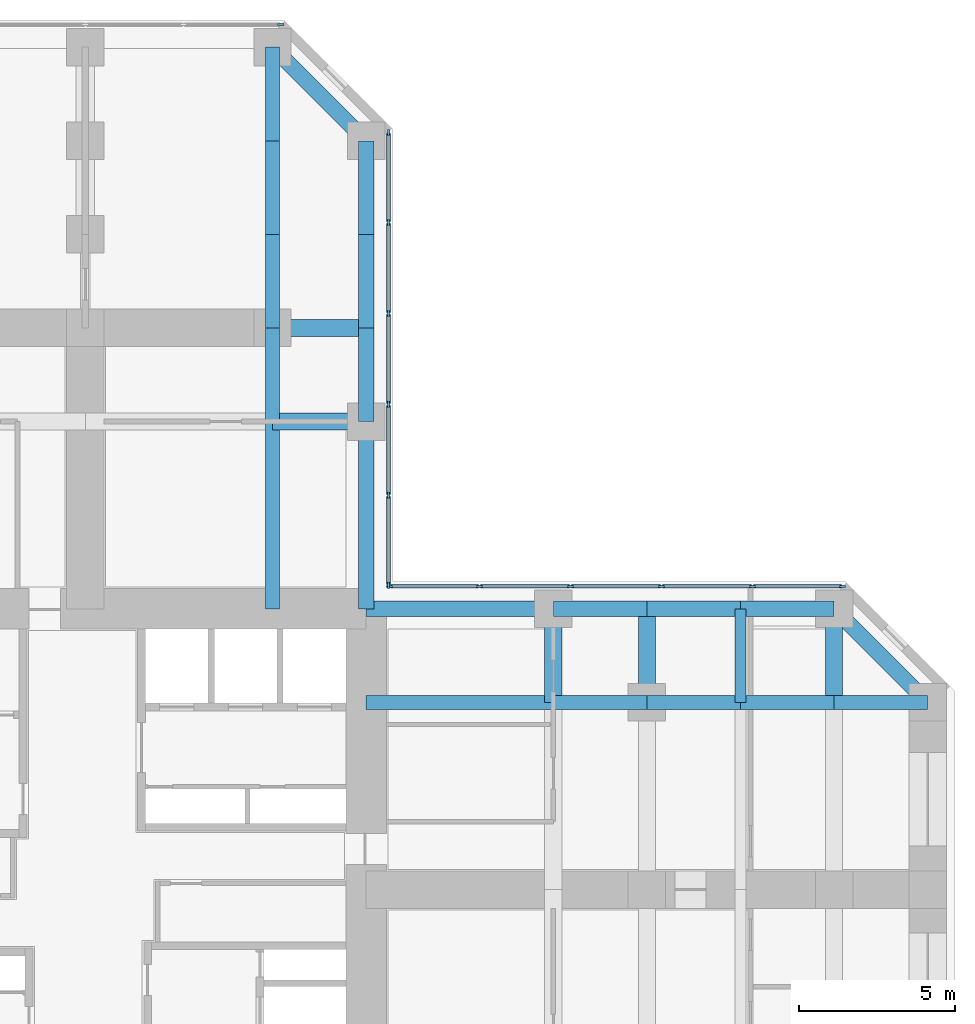
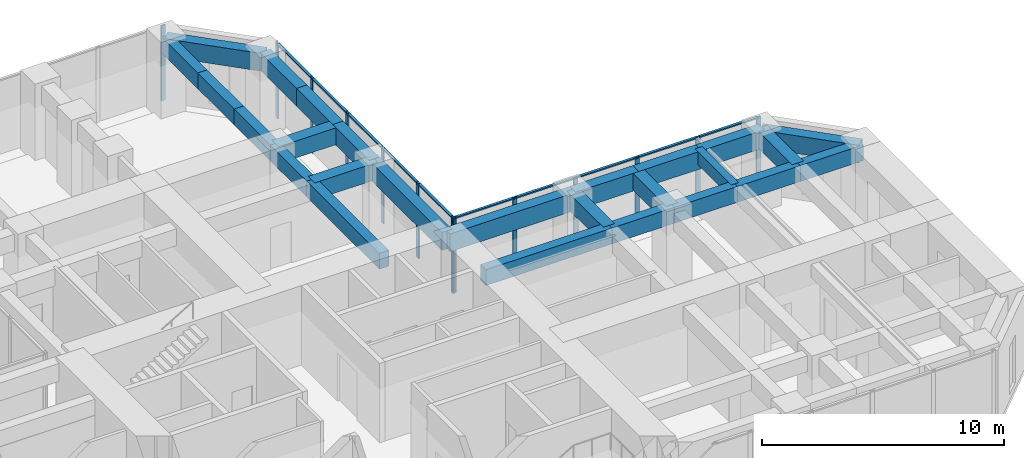
# One storey, part 6 of 13: 26 beams, 23 members, 3 elements without a shape of their own.
"""IFC4 building model written with IfcOpenShell, lengths in metres."""

from ifc_helpers import new_model, si_unit, direction, frame, origin, origin_2d, place, context, subcontext, project, spatial, rectangle, extrude, material, material_profile, profile_set, type_object, element, aggregate, save


model = new_model("IFC4")

# Units and contexts
model_context = context("Model", 3, precision=1e-05, world=origin(), true_north=direction((0.0, 1.0)))
body_context = subcontext(model_context, "Body", "Model", "MODEL_VIEW")
ifc_project = project(units=[si_unit("LENGTHUNIT", "METRE"), si_unit("AREAUNIT", "SQUARE_METRE"), si_unit("VOLUMEUNIT", "CUBIC_METRE"), si_unit("PLANEANGLEUNIT", "RADIAN"), si_unit("MASSUNIT", "GRAM", prefix="KILO")], contexts=[model_context])

# Site, building, storey
site_placement = place(None, origin())
site = spatial("IfcSite", under=ifc_project, at=site_placement, CompositionType="ELEMENT")
building_placement = place(site_placement, origin())
building = spatial("IfcBuilding", under=site, at=building_placement, Name="Torre Cruceta", CompositionType="ELEMENT")
storey_placement = place(building_placement, frame((0.0, 0.0, 55.5)))
storey = spatial("IfcBuildingStorey", under=building, at=storey_placement, Name="L13", CompositionType="ELEMENT", Elevation=55.5)

# Beams
ifc_material_1 = material(Name="Concrete G60 (fck 60 MPa)", Category="concrete")
ifc_material_profile_1 = material_profile(ifc_material_1, rectangle(XDim=0.449951171875, YDim=0.800048828125, at=origin_2d()), Name="RC 450X800")
ifc_profile_set_1 = profile_set([ifc_material_profile_1], Name="Concrete G60 (fck 60 MPa)")
beam_type_1 = type_object("IfcBeamType", Name="COLUMN LINE BEAM RC 450X800", PredefinedType="BEAM", material=ifc_profile_set_1)
beam_1_placement = place(storey_placement, frame((6.0, 9.0, 3.39990234375), z_axis=(0.0, 1.0, 0.0), x_axis=(-1.0, 0.0, 0.0)))
element("IfcBeam", 1, at=beam_1_placement, inside=storey, type_object=beam_type_1, Name="LB1 L13 N col- 1", PredefinedType="BEAM", context=body_context, shape_type="SweptSolid", body=[
    extrude(rectangle(XDim=0.449951171875, YDim=0.800048828125, at=origin_2d()), origin(), (0.0, 0.0, 1.0), 6.0),
])
for number, where, z_axis, x_axis, name in (
    (2, (6.0, 15.0, 3.39990234375), (0.0, 1.0, 0.0), (-1.0, 0.0, 0.0), "LB1 L13 N col- 2"),
    (3, (6.0, 18.0, 3.39990234375), (0.0, 1.0, 0.0), (-1.0, 0.0, 0.0), "LB1 L13 N col- 3"),
    (4, (6.0, 21.0, 3.39990234375), (0.0, 1.0, 0.0), (-1.0, 0.0, 0.0), "LB1 L13 N col- 4"),
    (5, (6.0, 24.0, 3.39990234375), (0.0, 1.0, 0.0), (-1.0, 0.0, 0.0), "LB1 L13 N col- 5"),
):
    element("IfcBeam", number, at=place(storey_placement, frame(where, z_axis=z_axis, x_axis=x_axis)), inside=storey, type_object=beam_type_1, Name=name, PredefinedType="BEAM", context=body_context, shape_type="SweptSolid", body=[
        extrude(rectangle(XDim=0.449951171875, YDim=0.800048828125, at=origin_2d()), origin(), (0.0, 0.0, 1.0), 3.0),
    ])
beam_2_placement = place(storey_placement, frame((9.0, 6.0, 3.39990234375), z_axis=(1.0, 0.0, 0.0), x_axis=(0.0, 1.0, 0.0)))
element("IfcBeam", 6, at=beam_2_placement, inside=storey, type_object=beam_type_1, Name="LB1 L13 E col+ 1", PredefinedType="BEAM", context=body_context, shape_type="SweptSolid", body=[
    extrude(rectangle(XDim=0.449951171875, YDim=0.800048828125, at=origin_2d()), origin(), (0.0, 0.0, 1.0), 6.0),
])
for number, where, z_axis, x_axis, name in (
    (7, (15.0, 6.0, 3.39990234375), (1.0, 0.0, 0.0), (0.0, 1.0, 0.0), "LB1 L13 E col+ 2"),
    (8, (18.0, 6.0, 3.39990234375), (1.0, 0.0, 0.0), (0.0, 1.0, 0.0), "LB1 L13 E col+ 3"),
    (9, (21.0, 6.0, 3.39990234375), (1.0, 0.0, 0.0), (0.0, 1.0, 0.0), "LB1 L13 E col+ 4"),
    (10, (24.0, 6.0, 3.39990234375), (1.0, 0.0, 0.0), (0.0, 1.0, 0.0), "LB1 L13 E col+ 5"),
):
    element("IfcBeam", number, at=place(storey_placement, frame(where, z_axis=z_axis, x_axis=x_axis)), inside=storey, type_object=beam_type_1, Name=name, PredefinedType="BEAM", context=body_context, shape_type="SweptSolid", body=[
        extrude(rectangle(XDim=0.449951171875, YDim=0.800048828125, at=origin_2d()), origin(), (0.0, 0.0, 1.0), 3.0),
    ])
ifc_material_2 = material(Name="Concrete G60 (fck 60 MPa)", Category="concrete")
ifc_material_profile_2 = material_profile(ifc_material_2, rectangle(XDim=0.550048828125, YDim=0.85009765625, at=origin_2d()), Name="RC 550X850")
ifc_profile_set_2 = profile_set([ifc_material_profile_2], Name="Concrete G60 (fck 60 MPa)")
beam_type_2 = type_object("IfcBeamType", Name="CROSS BEAM RC 550X850", PredefinedType="BEAM", material=ifc_profile_set_2)
for number, where, z_axis, x_axis, name in (
    (11, (9.0, 15.0, 3.375), (-1.0, 0.0, 0.0), (0.0, -1.0, 0.0), "GB4 L13 N cross15 1"),
    (12, (9.0, 18.0, 3.375), (-1.0, 0.0, 0.0), (0.0, -1.0, 0.0), "GB4 L13 N cross18 1"),
    (13, (15.0, 6.0, 3.375), (0.0, 1.0, 0.0), (-1.0, 0.0, 0.0), "GB4 L13 E cross15 4"),
    (14, (18.0, 6.0, 3.375), (0.0, 1.0, 0.0), (-1.0, 0.0, 0.0), "GB4 L13 E cross18 4"),
    (15, (24.0, 6.0, 3.375), (0.0, 1.0, 0.0), (-1.0, 0.0, 0.0), "GB4 L13 E cross24 4"),
):
    element("IfcBeam", number, at=place(storey_placement, frame(where, z_axis=z_axis, x_axis=x_axis)), inside=storey, type_object=beam_type_2, Name=name, PredefinedType="BEAM", context=body_context, shape_type="SweptSolid", body=[
        extrude(rectangle(XDim=0.550048828125, YDim=0.85009765625, at=origin_2d()), origin(), (0.0, 0.0, 1.0), 3.0),
    ])

# Curtain wall, members
ifc_material_3 = material(Name="Aluminium unitised curtain wall", Category="aluminium")
curtain_wall_type = type_object("IfcCurtainWallType", Name="CURTAIN WALL CW-A OFFICE LOW RISE", PredefinedType="USERDEFINED", material=ifc_material_3)
curtain_wall_1_placement = place(storey_placement, origin())
curtain_wall_1 = element("IfcCurtainWall", 16, at=curtain_wall_1_placement, inside=storey, type_object=curtain_wall_type, Name="CW-A L13 E side 04", ObjectType="UNITISED", PredefinedType="USERDEFINED")
ifc_material_4 = material(Name="Aluminium mullion", Category="aluminium")
ifc_material_profile_3 = material_profile(ifc_material_4, rectangle(XDim=0.06494140625, YDim=0.199951171875, at=origin_2d()), Name="AL 65X200")
ifc_profile_set_3 = profile_set([ifc_material_profile_3], Name="Aluminium mullion")
member_type_1 = type_object("IfcMemberType", Name="CW-A MULLION 65X200", PredefinedType="MULLION", material=ifc_profile_set_3)
member_1_placement = place(storey_placement, frame((24.265625, 9.719970703125, 0.0), z_axis=(0.0, 0.0, 1.0), x_axis=(0.0, -1.0, 0.0)))
member_1 = element("IfcMember", 17, at=member_1_placement, type_object=member_type_1, Name="CW-A mullion 1", PredefinedType="MULLION", context=body_context, shape_type="SweptSolid", body=[
    extrude(rectangle(XDim=0.06494140625, YDim=0.199951171875, at=origin_2d()), origin(), (0.0, 0.0, 1.0), 3.800048828125),
])
member_2_placement = place(storey_placement, frame((21.382568359375, 9.719970703125, 0.0), z_axis=(0.0, 0.0, 1.0), x_axis=(0.0, -1.0, 0.0)))
member_2 = element("IfcMember", 18, at=member_2_placement, type_object=member_type_1, Name="CW-A mullion 2", PredefinedType="MULLION", context=body_context, shape_type="SweptSolid", body=[
    extrude(rectangle(XDim=0.06494140625, YDim=0.199951171875, at=origin_2d()), origin(), (0.0, 0.0, 1.0), 3.800048828125),
])
member_3_placement = place(storey_placement, frame((18.467041015625, 9.719970703125, 0.0), z_axis=(0.0, 0.0, 1.0), x_axis=(0.0, -1.0, 0.0)))
member_3 = element("IfcMember", 19, at=member_3_placement, type_object=member_type_1, Name="CW-A mullion 3", PredefinedType="MULLION", context=body_context, shape_type="SweptSolid", body=[
    extrude(rectangle(XDim=0.06494140625, YDim=0.199951171875, at=origin_2d()), origin(), (0.0, 0.0, 1.0), 3.800048828125),
])
member_4_placement = place(storey_placement, frame((15.55126953125, 9.719970703125, 0.0), z_axis=(0.0, 0.0, 1.0), x_axis=(0.0, -1.0, 0.0)))
member_4 = element("IfcMember", 20, at=member_4_placement, type_object=member_type_1, Name="CW-A mullion 4", PredefinedType="MULLION", context=body_context, shape_type="SweptSolid", body=[
    extrude(rectangle(XDim=0.06494140625, YDim=0.199951171875, at=origin_2d()), origin(), (0.0, 0.0, 1.0), 3.800048828125),
])
member_5_placement = place(storey_placement, frame((12.6357421875, 9.719970703125, 0.0), z_axis=(0.0, 0.0, 1.0), x_axis=(0.0, -1.0, 0.0)))
member_5 = element("IfcMember", 21, at=member_5_placement, type_object=member_type_1, Name="CW-A mullion 5", PredefinedType="MULLION", context=body_context, shape_type="SweptSolid", body=[
    extrude(rectangle(XDim=0.06494140625, YDim=0.199951171875, at=origin_2d()), origin(), (0.0, 0.0, 1.0), 3.800048828125),
])
member_6_placement = place(storey_placement, frame((9.75244140625, 9.719970703125, 0.0), z_axis=(0.0, 0.0, 1.0), x_axis=(0.0, -1.0, 0.0)))
member_6 = element("IfcMember", 22, at=member_6_placement, type_object=member_type_1, Name="CW-A mullion 6", PredefinedType="MULLION", context=body_context, shape_type="SweptSolid", body=[
    extrude(rectangle(XDim=0.06494140625, YDim=0.199951171875, at=origin_2d()), origin(), (0.0, 0.0, 1.0), 3.800048828125),
])

curtain_wall_2_placement = place(storey_placement, origin())
curtain_wall_2 = element("IfcCurtainWall", 23, at=curtain_wall_2_placement, inside=storey, type_object=curtain_wall_type, Name="CW-A L13 N side 05", ObjectType="UNITISED", PredefinedType="USERDEFINED")
member_7_placement = place(storey_placement, frame((9.719970703125, 9.75244140625, 0.0), z_axis=(0.0, 0.0, 1.0), x_axis=(-1.0, 0.0, 0.0)))
member_7 = element("IfcMember", 24, at=member_7_placement, type_object=member_type_1, Name="CW-A mullion 1", PredefinedType="MULLION", context=body_context, shape_type="SweptSolid", body=[
    extrude(rectangle(XDim=0.06494140625, YDim=0.199951171875, at=origin_2d()), origin(), (0.0, 0.0, 1.0), 3.800048828125),
])
member_8_placement = place(storey_placement, frame((9.719970703125, 12.6357421875, 0.0), z_axis=(0.0, 0.0, 1.0), x_axis=(-1.0, 0.0, 0.0)))
member_8 = element("IfcMember", 25, at=member_8_placement, type_object=member_type_1, Name="CW-A mullion 2", PredefinedType="MULLION", context=body_context, shape_type="SweptSolid", body=[
    extrude(rectangle(XDim=0.06494140625, YDim=0.199951171875, at=origin_2d()), origin(), (0.0, 0.0, 1.0), 3.800048828125),
])
member_9_placement = place(storey_placement, frame((9.719970703125, 15.55126953125, 0.0), z_axis=(0.0, 0.0, 1.0), x_axis=(-1.0, 0.0, 0.0)))
member_9 = element("IfcMember", 26, at=member_9_placement, type_object=member_type_1, Name="CW-A mullion 3", PredefinedType="MULLION", context=body_context, shape_type="SweptSolid", body=[
    extrude(rectangle(XDim=0.06494140625, YDim=0.199951171875, at=origin_2d()), origin(), (0.0, 0.0, 1.0), 3.800048828125),
])
member_10_placement = place(storey_placement, frame((9.719970703125, 18.467041015625, 0.0), z_axis=(0.0, 0.0, 1.0), x_axis=(-1.0, 0.0, 0.0)))
member_10 = element("IfcMember", 27, at=member_10_placement, type_object=member_type_1, Name="CW-A mullion 4", PredefinedType="MULLION", context=body_context, shape_type="SweptSolid", body=[
    extrude(rectangle(XDim=0.06494140625, YDim=0.199951171875, at=origin_2d()), origin(), (0.0, 0.0, 1.0), 3.800048828125),
])
member_11_placement = place(storey_placement, frame((9.719970703125, 21.382568359375, 0.0), z_axis=(0.0, 0.0, 1.0), x_axis=(-1.0, 0.0, 0.0)))
member_11 = element("IfcMember", 28, at=member_11_placement, type_object=member_type_1, Name="CW-A mullion 5", PredefinedType="MULLION", context=body_context, shape_type="SweptSolid", body=[
    extrude(rectangle(XDim=0.06494140625, YDim=0.199951171875, at=origin_2d()), origin(), (0.0, 0.0, 1.0), 3.800048828125),
])
member_12_placement = place(storey_placement, frame((9.719970703125, 24.265625, 0.0), z_axis=(0.0, 0.0, 1.0), x_axis=(-1.0, 0.0, 0.0)))
member_12 = element("IfcMember", 29, at=member_12_placement, type_object=member_type_1, Name="CW-A mullion 6", PredefinedType="MULLION", context=body_context, shape_type="SweptSolid", body=[
    extrude(rectangle(XDim=0.06494140625, YDim=0.199951171875, at=origin_2d()), origin(), (0.0, 0.0, 1.0), 3.800048828125),
])

# Curtain wall, member
curtain_wall_3_placement = place(storey_placement, origin())
curtain_wall_3 = element("IfcCurtainWall", 30, at=curtain_wall_3_placement, inside=storey, type_object=curtain_wall_type, Name="CW-A L13 N tip 07", ObjectType="UNITISED", PredefinedType="USERDEFINED")
member_13_placement = place(storey_placement, frame((6.265625, 27.719970703125, 0.0), z_axis=(0.0, 0.0, 1.0), x_axis=(0.0, -1.0, 0.0)))
member_13 = element("IfcMember", 31, at=member_13_placement, type_object=member_type_1, Name="CW-A mullion 1", PredefinedType="MULLION", context=body_context, shape_type="SweptSolid", body=[
    extrude(rectangle(XDim=0.06494140625, YDim=0.199951171875, at=origin_2d()), origin(), (0.0, 0.0, 1.0), 3.800048828125),
])
aggregate(curtain_wall_3, [member_13])

# Member
ifc_material_5 = material(Name="Aluminium transom", Category="aluminium")
ifc_material_profile_4 = material_profile(ifc_material_5, rectangle(XDim=0.1201171875, YDim=0.06494140625, at=origin_2d()), Name="AL 120X65")
ifc_profile_set_4 = profile_set([ifc_material_profile_4], Name="Aluminium transom")
member_type_2 = type_object("IfcMemberType", Name="CW-A TRANSOM 65X120", PredefinedType="USERDEFINED", material=ifc_profile_set_4)
member_14_placement = place(storey_placement, frame((24.233154296875, 9.719970703125, 3.767578125), z_axis=(-1.0, 0.0, 0.0), x_axis=(0.0, -1.0, 0.0)))
member_14 = element("IfcMember", 32, at=member_14_placement, type_object=member_type_2, Name="CW-A transom 1", ObjectType="TRANSOM", PredefinedType="USERDEFINED", context=body_context, shape_type="SweptSolid", body=[
    extrude(rectangle(XDim=0.1201171875, YDim=0.06494140625, at=origin_2d()), origin(), (0.0, 0.0, 1.0), 2.818115234375),
])

member_15_placement = place(storey_placement, frame((21.35009765625, 9.719970703125, 3.767578125), z_axis=(-1.0, 0.0, 0.0), x_axis=(0.0, -1.0, 0.0)))
member_15 = element("IfcMember", 33, at=member_15_placement, type_object=member_type_2, Name="CW-A transom 2", ObjectType="TRANSOM", PredefinedType="USERDEFINED", context=body_context, shape_type="SweptSolid", body=[
    extrude(rectangle(XDim=0.1201171875, YDim=0.06494140625, at=origin_2d()), origin(), (0.0, 0.0, 1.0), 2.8505859375),
])

member_16_placement = place(storey_placement, frame((18.434326171875, 9.719970703125, 3.767578125), z_axis=(-1.0, 0.0, 0.0), x_axis=(0.0, -1.0, 0.0)))
member_16 = element("IfcMember", 34, at=member_16_placement, type_object=member_type_2, Name="CW-A transom 3", ObjectType="TRANSOM", PredefinedType="USERDEFINED", context=body_context, shape_type="SweptSolid", body=[
    extrude(rectangle(XDim=0.1201171875, YDim=0.06494140625, at=origin_2d()), origin(), (0.0, 0.0, 1.0), 2.8505859375),
])

member_17_placement = place(storey_placement, frame((15.518798828125, 9.719970703125, 3.767578125), z_axis=(-1.0, 0.0, 0.0), x_axis=(0.0, -1.0, 0.0)))
member_17 = element("IfcMember", 35, at=member_17_placement, type_object=member_type_2, Name="CW-A transom 4", ObjectType="TRANSOM", PredefinedType="USERDEFINED", context=body_context, shape_type="SweptSolid", body=[
    extrude(rectangle(XDim=0.1201171875, YDim=0.06494140625, at=origin_2d()), origin(), (0.0, 0.0, 1.0), 2.8505859375),
])

member_18_placement = place(storey_placement, frame((12.60302734375, 9.719970703125, 3.767578125), z_axis=(-1.0, 0.0, 0.0), x_axis=(0.0, -1.0, 0.0)))
member_18 = element("IfcMember", 36, at=member_18_placement, type_object=member_type_2, Name="CW-A transom 5", ObjectType="TRANSOM", PredefinedType="USERDEFINED", context=body_context, shape_type="SweptSolid", body=[
    extrude(rectangle(XDim=0.1201171875, YDim=0.06494140625, at=origin_2d()), origin(), (0.0, 0.0, 1.0), 2.818115234375),
])

aggregate(curtain_wall_1, [member_1, member_2, member_3, member_4, member_5, member_6, member_14, member_15, member_16, member_17, member_18])

member_19_placement = place(storey_placement, frame((9.719970703125, 9.784912109375, 3.767578125), z_axis=(0.0, 1.0, 0.0), x_axis=(-1.0, 0.0, 0.0)))
member_19 = element("IfcMember", 37, at=member_19_placement, type_object=member_type_2, Name="CW-A transom 1", ObjectType="TRANSOM", PredefinedType="USERDEFINED", context=body_context, shape_type="SweptSolid", body=[
    extrude(rectangle(XDim=0.1201171875, YDim=0.06494140625, at=origin_2d()), origin(), (0.0, 0.0, 1.0), 2.818115234375),
])

member_20_placement = place(storey_placement, frame((9.719970703125, 12.668212890625, 3.767578125), z_axis=(0.0, 1.0, 0.0), x_axis=(-1.0, 0.0, 0.0)))
member_20 = element("IfcMember", 38, at=member_20_placement, type_object=member_type_2, Name="CW-A transom 2", ObjectType="TRANSOM", PredefinedType="USERDEFINED", context=body_context, shape_type="SweptSolid", body=[
    extrude(rectangle(XDim=0.1201171875, YDim=0.06494140625, at=origin_2d()), origin(), (0.0, 0.0, 1.0), 2.8505859375),
])

member_21_placement = place(storey_placement, frame((9.719970703125, 15.583740234375, 3.767578125), z_axis=(0.0, 1.0, 0.0), x_axis=(-1.0, 0.0, 0.0)))
member_21 = element("IfcMember", 39, at=member_21_placement, type_object=member_type_2, Name="CW-A transom 3", ObjectType="TRANSOM", PredefinedType="USERDEFINED", context=body_context, shape_type="SweptSolid", body=[
    extrude(rectangle(XDim=0.1201171875, YDim=0.06494140625, at=origin_2d()), origin(), (0.0, 0.0, 1.0), 2.8505859375),
])

member_22_placement = place(storey_placement, frame((9.719970703125, 18.49951171875, 3.767578125), z_axis=(0.0, 1.0, 0.0), x_axis=(-1.0, 0.0, 0.0)))
member_22 = element("IfcMember", 40, at=member_22_placement, type_object=member_type_2, Name="CW-A transom 4", ObjectType="TRANSOM", PredefinedType="USERDEFINED", context=body_context, shape_type="SweptSolid", body=[
    extrude(rectangle(XDim=0.1201171875, YDim=0.06494140625, at=origin_2d()), origin(), (0.0, 0.0, 1.0), 2.8505859375),
])

member_23_placement = place(storey_placement, frame((9.719970703125, 21.4150390625, 3.767578125), z_axis=(0.0, 1.0, 0.0), x_axis=(-1.0, 0.0, 0.0)))
member_23 = element("IfcMember", 41, at=member_23_placement, type_object=member_type_2, Name="CW-A transom 5", ObjectType="TRANSOM", PredefinedType="USERDEFINED", context=body_context, shape_type="SweptSolid", body=[
    extrude(rectangle(XDim=0.1201171875, YDim=0.06494140625, at=origin_2d()), origin(), (0.0, 0.0, 1.0), 2.818115234375),
])

aggregate(curtain_wall_2, [member_7, member_8, member_9, member_10, member_11, member_12, member_19, member_20, member_21, member_22, member_23])

# Beams
ifc_material_6 = material(Name="Concrete G60 (fck 60 MPa)", Category="concrete")
ifc_material_profile_5 = material_profile(ifc_material_6, rectangle(XDim=0.35009765625, YDim=0.64990234375, at=origin_2d()), Name="RC 350X650")
ifc_profile_set_5 = profile_set([ifc_material_profile_5], Name="Concrete G60 (fck 60 MPa)")
beam_type_3 = type_object("IfcBeamType", Name="SECONDARY BEAM RC 350X650", PredefinedType="JOIST", material=ifc_profile_set_5)
beam_3_placement = place(storey_placement, frame((21.0, 6.0, 3.47509765625), z_axis=(0.0, 1.0, 0.0), x_axis=(-1.0, 0.0, 0.0)))
element("IfcBeam", 42, at=beam_3_placement, inside=storey, type_object=beam_type_3, Name="JB3 L13 E sec21 4", PredefinedType="JOIST", context=body_context, shape_type="SweptSolid", body=[
    extrude(rectangle(XDim=0.35009765625, YDim=0.64990234375, at=origin_2d()), origin(), (0.0, 0.0, 1.0), 3.0),
])
ifc_material_7 = material(Name="Concrete G60 (fck 60 MPa)", Category="concrete")
ifc_material_profile_6 = material_profile(ifc_material_7, rectangle(XDim=0.5, YDim=0.89990234375, at=origin_2d()), Name="RC 500X900")
ifc_profile_set_6 = profile_set([ifc_material_profile_6], Name="Concrete G60 (fck 60 MPa)")
beam_type_4 = type_object("IfcBeamType", Name="SPANDREL BEAM RC 500X900", PredefinedType="SPANDREL", material=ifc_profile_set_6)
beam_4_placement = place(storey_placement, frame((9.0, 9.0, 3.35009765625), z_axis=(0.0, 1.0, 0.0), x_axis=(-1.0, 0.0, 0.0)))
element("IfcBeam", 43, at=beam_4_placement, inside=storey, type_object=beam_type_4, Name="SB4 L13 N side- 1", PredefinedType="SPANDREL", context=body_context, shape_type="SweptSolid", body=[
    extrude(rectangle(XDim=0.5, YDim=0.89990234375, at=origin_2d()), origin(), (0.0, 0.0, 1.0), 6.0),
])
for number, where, z_axis, x_axis, name in (
    (44, (9.0, 15.0, 3.35009765625), (0.0, 1.0, 0.0), (-1.0, 0.0, 0.0), "SB4 L13 N side- 2"),
    (45, (9.0, 18.0, 3.35009765625), (0.0, 1.0, 0.0), (-1.0, 0.0, 0.0), "SB4 L13 N side- 3"),
    (46, (9.0, 21.0, 3.35009765625), (0.0, 1.0, 0.0), (-1.0, 0.0, 0.0), "SB4 L13 N side- 4"),
):
    element("IfcBeam", number, at=place(storey_placement, frame(where, z_axis=z_axis, x_axis=x_axis)), inside=storey, type_object=beam_type_4, Name=name, PredefinedType="SPANDREL", context=body_context, shape_type="SweptSolid", body=[
        extrude(rectangle(XDim=0.5, YDim=0.89990234375, at=origin_2d()), origin(), (0.0, 0.0, 1.0), 3.0),
    ])
beam_5_placement = place(storey_placement, frame((9.0, 24.0, 3.35009765625), z_axis=(-0.707106781187, 0.707106781187, 0.0), x_axis=(-0.707106781187, -0.707106781187, 0.0)))
element("IfcBeam", 47, at=beam_5_placement, inside=storey, type_object=beam_type_4, Name="SB4 L13 N side- 5", PredefinedType="SPANDREL", context=body_context, shape_type="SweptSolid", body=[
    extrude(rectangle(XDim=0.5, YDim=0.89990234375, at=origin_2d()), origin(), (0.0, 0.0, 1.0), 4.24267578125),
])
beam_6_placement = place(storey_placement, frame((9.0, 9.0, 3.35009765625), z_axis=(1.0, 0.0, 0.0), x_axis=(0.0, 1.0, 0.0)))
element("IfcBeam", 48, at=beam_6_placement, inside=storey, type_object=beam_type_4, Name="SB4 L13 E side+ 1", PredefinedType="SPANDREL", context=body_context, shape_type="SweptSolid", body=[
    extrude(rectangle(XDim=0.5, YDim=0.89990234375, at=origin_2d()), origin(), (0.0, 0.0, 1.0), 6.0),
])
for number, where, z_axis, x_axis, name in (
    (49, (15.0, 9.0, 3.35009765625), (1.0, 0.0, 0.0), (0.0, 1.0, 0.0), "SB4 L13 E side+ 2"),
    (50, (18.0, 9.0, 3.35009765625), (1.0, 0.0, 0.0), (0.0, 1.0, 0.0), "SB4 L13 E side+ 3"),
    (51, (21.0, 9.0, 3.35009765625), (1.0, 0.0, 0.0), (0.0, 1.0, 0.0), "SB4 L13 E side+ 4"),
):
    element("IfcBeam", number, at=place(storey_placement, frame(where, z_axis=z_axis, x_axis=x_axis)), inside=storey, type_object=beam_type_4, Name=name, PredefinedType="SPANDREL", context=body_context, shape_type="SweptSolid", body=[
        extrude(rectangle(XDim=0.5, YDim=0.89990234375, at=origin_2d()), origin(), (0.0, 0.0, 1.0), 3.0),
    ])
beam_7_placement = place(storey_placement, frame((24.0, 9.0, 3.35009765625), z_axis=(0.707106781187, -0.707106781187, 0.0), x_axis=(0.707106781187, 0.707106781187, 0.0)))
element("IfcBeam", 52, at=beam_7_placement, inside=storey, type_object=beam_type_4, Name="SB4 L13 E side+ 5", PredefinedType="SPANDREL", context=body_context, shape_type="SweptSolid", body=[
    extrude(rectangle(XDim=0.5, YDim=0.89990234375, at=origin_2d()), origin(), (0.0, 0.0, 1.0), 4.24267578125),
])

save(model, "model.ifc")
